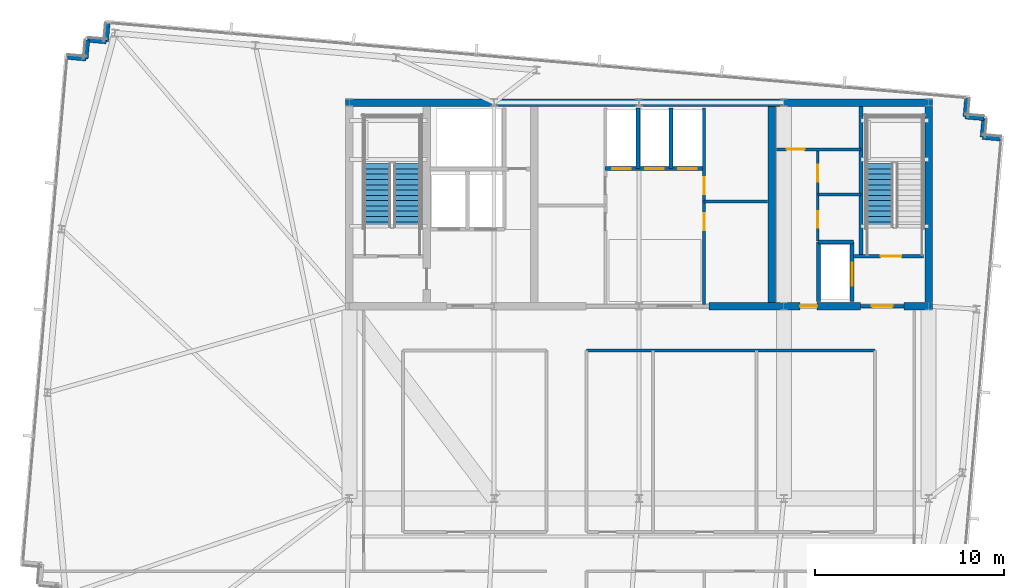
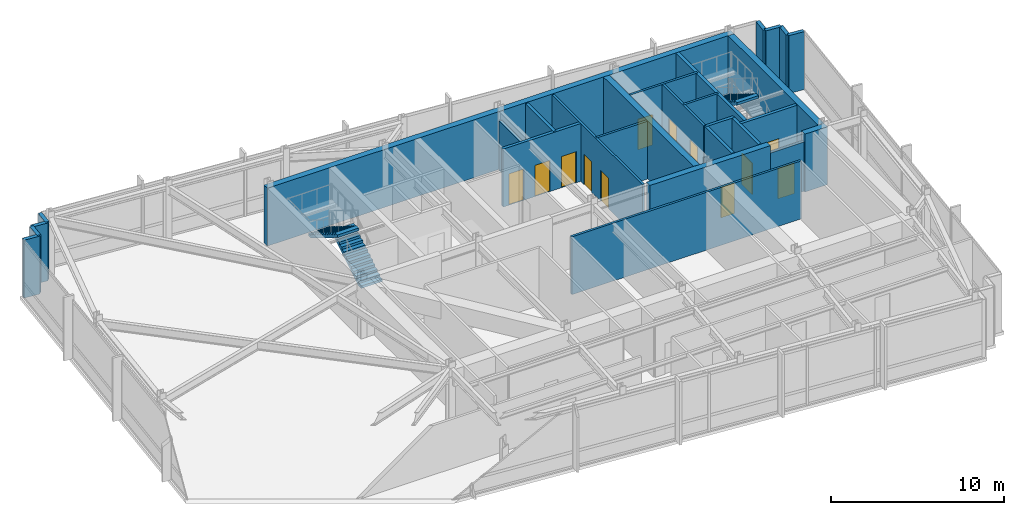
# One storey, part 20 of 25: 28 walls, 12 doors, 3 stair flights, 12 openings, 2 elements without a shape of their own.
"""IFC4 building model written with IfcOpenShell, lengths in metres."""

from ifc_helpers import new_model, si_unit, direction, frame, frame_2d, origin, place, context, subcontext, project, spatial, polyline, rectangle, outline, extrude, material, layer, layer_set, type_object, element, fill, aggregate, save


model = new_model("IFC4")

# Units and contexts
model_context = context("Model", 3, precision=1e-05, world=origin(), true_north=direction((0.0, 1.0)))
body_context = subcontext(model_context, "Body", "Model", "MODEL_VIEW")
ifc_project = project(units=[si_unit("LENGTHUNIT", "METRE"), si_unit("AREAUNIT", "SQUARE_METRE"), si_unit("VOLUMEUNIT", "CUBIC_METRE"), si_unit("PLANEANGLEUNIT", "RADIAN"), si_unit("MASSUNIT", "GRAM", prefix="KILO")], contexts=[model_context])

# Site, building, storey
site_placement = place(None, origin())
site = spatial("IfcSite", under=ifc_project, at=site_placement, CompositionType="ELEMENT")
building_placement = place(site_placement, origin())
building = spatial("IfcBuilding", under=site, at=building_placement, Name="Yelkora Congress Tower", CompositionType="ELEMENT")
storey_placement = place(building_placement, frame((0.0, 0.0, 299.89990234375)))
storey = spatial("IfcBuildingStorey", under=building, at=storey_placement, Name="L84", CompositionType="ELEMENT", Elevation=299.89990234375)

# Walls
ifc_material_1 = material(Name="Concrete C50/60", Category="concrete")
ifc_layer_1 = layer(ifc_material_1, 0.219970703125)
ifc_layer_set_1 = layer_set([ifc_layer_1], Name="Concrete C50/60")
wall_type_1 = type_object("IfcWallType", Name="WALL-CORE-INT-220", PredefinedType="SHEAR", material=ifc_layer_set_1)
wall_1_placement = place(storey_placement, frame((50.179931640625, 38.050048828125, 0.0), z_axis=(0.0, 0.0, 1.0), x_axis=(0.0, 1.0, 0.0)))
element("IfcWall", 1, at=wall_1_placement, inside=storey, type_object=wall_type_1, Name="L84 ST02 West Stair Shear Wall", PredefinedType="SHEAR", context=body_context, shape_type="SweptSolid", body=[
    extrude(rectangle(XDim=7.949951171875, YDim=0.219970703125, at=frame_2d((3.97509765625, 0.0))), origin(), (0.0, 0.0, 1.0), 4.080078125),
])
ifc_layer_2 = layer(ifc_material_1, 0.39990234375)
ifc_layer_set_2 = layer_set([ifc_layer_2], Name="Concrete C50/60")
wall_type_2 = type_object("IfcWallType", Name="WALL-CORE-INT-400", PredefinedType="SHEAR", material=ifc_layer_set_2)
wall_2_placement = place(storey_placement, frame((22.840087890625, 46.199951171875, 0.0), z_axis=(0.0, 0.0, 1.0), x_axis=(1.0, 0.0, 0.0)))
element("IfcWall", 2, at=wall_2_placement, inside=storey, type_object=wall_type_2, Name="L84 Rear Core North Shear Wall", PredefinedType="SHEAR", context=body_context, shape_type="SweptSolid", body=[
    extrude(rectangle(XDim=31.119873046875, YDim=0.39990234375, at=frame_2d((15.56005859375, 0.0))), origin(), (0.0, 0.0, 1.0), 4.080078125),
])

# Wall, opening, door
wall_3_placement = place(storey_placement, frame((42.10009765625, 35.39990234375, 0.0), z_axis=(0.0, 0.0, 1.0), x_axis=(1.0, 0.0, 0.0)))
wall_3 = element("IfcWall", 3, at=wall_3_placement, inside=storey, type_object=wall_type_2, Name="L84 Rear Core South-East Shear Wall A", PredefinedType="SHEAR", context=body_context, shape_type="SweptSolid", body=[
    extrude(rectangle(XDim=8.0498046875, YDim=0.39990234375, at=frame_2d((4.02490234375, 0.0))), origin(), (0.0, 0.0, 1.0), 4.080078125),
])
opening_1_placement = place(wall_3_placement, frame((4.85009765625, 0.0, 0.0)))
opening_1 = element("IfcOpeningElement", 4, at=opening_1_placement, cuts=wall_3, Name="Opening DR-090F6", PredefinedType="OPENING", context=body_context, shape_type="SweptSolid", body=[
    extrude(rectangle(XDim=0.89990234375, YDim=2.14990234375, at=frame_2d((0.449951171875, 1.074951171875))), frame((0.0, 0.2099609375, 0.0), z_axis=(0.0, -1.0, 0.0), x_axis=(1.0, 0.0, 0.0)), (0.0, 0.0, 1.0), 0.419921875),
])
ifc_material_2 = material(Name="Painted steel riser fire door leaf", Category="steel")
door_type_1 = type_object("IfcDoorType", Name="DOOR-FD60-900", OperationType="NOTDEFINED", PredefinedType="DOOR", material=ifc_material_2)
door_1_placement = place(opening_1_placement, origin())
door_1 = element("IfcDoor", 5, at=door_1_placement, inside=storey, type_object=door_type_1, Name="L84 Core Washroom Lobby Door", OperationType="SINGLE_SWING_RIGHT", OverallHeight=2.14990234375, OverallWidth=0.89990234375, PredefinedType="DOOR", context=body_context, shape_type="SweptSolid", body=[
    extrude(rectangle(XDim=0.89990234375, YDim=2.14990234375, at=frame_2d((0.449951171875, 1.074951171875))), frame((0.0, 0.02490234375, 0.0), z_axis=(0.0, -1.0, 0.0), x_axis=(1.0, 0.0, 0.0)), (0.0, 0.0, 1.0), 0.050048828125),
])
fill(opening_1, door_1)

# Walls
wall_4_placement = place(storey_placement, frame((52.449951171875, 35.39990234375, 0.0), z_axis=(0.0, 0.0, 1.0), x_axis=(1.0, 0.0, 0.0)))
element("IfcWall", 6, at=wall_4_placement, inside=storey, type_object=wall_type_2, Name="L84 Rear Core South-East Shear Wall B", PredefinedType="SHEAR", context=body_context, shape_type="SweptSolid", body=[
    extrude(rectangle(XDim=1.510009765625, YDim=0.39990234375, at=frame_2d((0.7548828125, 0.0))), origin(), (0.0, 0.0, 1.0), 4.080078125),
])
for number, where, z_axis, x_axis, name in (
    (7, (45.449951171875, 35.60009765625, 0.0), (0.0, 0.0, 1.0), (0.0, 1.0, 0.0), "L84 Rear Core Cross Shear Wall C3"),
    (8, (53.760009765625, 35.60009765625, 0.0), (0.0, 0.0, 1.0), (0.0, 1.0, 0.0), "L84 Rear Core Cross Shear Wall E"),
):
    element("IfcWall", number, at=place(storey_placement, frame(where, z_axis=z_axis, x_axis=x_axis)), inside=storey, type_object=wall_type_2, Name=name, PredefinedType="SHEAR", context=body_context, shape_type="SweptSolid", body=[
        extrude(rectangle(XDim=10.39990234375, YDim=0.39990234375, at=frame_2d((5.199951171875, 0.0))), origin(), (0.0, 0.0, 1.0), 4.080078125),
    ])
ifc_material_3 = material(Name="Concrete C40/50", Category="concrete")
ifc_layer_3 = layer(ifc_material_3, 0.239990234375)
ifc_layer_set_3 = layer_set([ifc_layer_3], Name="Concrete C40/50")
wall_type_3 = type_object("IfcWallType", Name="WALL-EXT-LIMESTONE-240", PredefinedType="SOLIDWALL", material=ifc_layer_set_3)
for number, where, z_axis, x_axis, name in (
    (9, (8.0732421875, 48.609619140625, 0.0), (0.0, 0.0, 1.0), (0.996195572005, -0.087145753297, 0.0), "L84 Serrated Corner Limestone Pier 6"),
    (10, (9.069580078125, 48.5224609375, 0.0), (0.0, 0.0, 1.0), (0.087145753297, 0.996195572005, 0.0), "L84 Serrated Corner Limestone Pier 7"),
):
    element("IfcWall", number, at=place(storey_placement, frame(where, z_axis=z_axis, x_axis=x_axis)), inside=storey, type_object=wall_type_3, Name=name, PredefinedType="SOLIDWALL", context=body_context, shape_type="SweptSolid", body=[
        extrude(rectangle(XDim=1.000244140625, YDim=0.239990234375, at=frame_2d((0.5, 0.0))), origin(), (0.0, 0.0, 1.0), 4.080078125),
    ])
for number, where, z_axis, x_axis, name in (
    (11, (9.15673828125, 49.518798828125, 0.0), (0.0, 0.0, 1.0), (0.996193717496, -0.087166950281, 0.0), "L84 Serrated Corner Limestone Pier 8"),
    (12, (10.15283203125, 49.431640625, 0.0), (0.0, 0.0, 1.0), (0.087166950281, 0.996193717496, 0.0), "L84 Serrated Corner Limestone Pier 9"),
    (13, (55.785888671875, 46.443115234375, 0.0), (0.0, 0.0, 1.0), (-0.086903493655, -0.996216734848, 0.0), "L84 Serrated Corner Limestone Pier 11"),
    (14, (55.698974609375, 45.44677734375, 0.0), (0.0, 0.0, 1.0), (0.996193717496, -0.087166950281, 0.0), "L84 Serrated Corner Limestone Pier 12"),
    (15, (56.695068359375, 45.359619140625, 0.0), (0.0, 0.0, 1.0), (-0.087166950281, -0.996193717496, 0.0), "L84 Serrated Corner Limestone Pier 13"),
    (16, (56.60791015625, 44.363525390625, 0.0), (0.0, 0.0, 1.0), (0.996193717496, -0.087166950281, 0.0), "L84 Serrated Corner Limestone Pier 14"),
):
    element("IfcWall", number, at=place(storey_placement, frame(where, z_axis=z_axis, x_axis=x_axis)), inside=storey, type_object=wall_type_3, Name=name, PredefinedType="SOLIDWALL", context=body_context, shape_type="SweptSolid", body=[
        extrude(rectangle(XDim=1.0, YDim=0.239990234375, at=frame_2d((0.5, 0.0))), origin(), (0.0, 0.0, 1.0), 4.080078125),
    ])

# Wall, opening, door
ifc_material_4 = material(Name="Acoustic metal-stud gypsum partition", Category="gypsum")
ifc_layer_4 = layer(ifc_material_4, 0.14990234375)
ifc_layer_set_4 = layer_set([ifc_layer_4], Name="Acoustic metal-stud gypsum partition")
wall_type_4 = type_object("IfcWallType", Name="WALL-INT-150-NR", PredefinedType="PARTITIONING", material=ifc_layer_set_4)
wall_5_placement = place(storey_placement, frame((45.679931640625, 43.719970703125, 0.0), z_axis=(0.0, 0.0, 1.0), x_axis=(1.0, 0.0, 0.0)))
wall_5 = element("IfcWall", 17, at=wall_5_placement, inside=storey, type_object=wall_type_4, Name="L84 Partition Wall 20", PredefinedType="PARTITIONING", context=body_context, shape_type="SweptSolid", body=[
    extrude(rectangle(XDim=4.5, YDim=0.14990234375, at=frame_2d((2.25, 0.0))), origin(), (0.0, 0.0, 1.0), 4.080078125),
])
opening_2_placement = place(wall_5_placement, frame((0.550048828125, 0.0, 0.0)))
opening_2 = element("IfcOpeningElement", 18, at=opening_2_placement, cuts=wall_5, Name="Opening DR-095N", PredefinedType="OPENING", context=body_context, shape_type="SweptSolid", body=[
    extrude(rectangle(XDim=0.949951171875, YDim=2.14990234375, at=frame_2d((0.47509765625, 1.074951171875))), frame((0.0, 0.0849609375, 0.0), z_axis=(0.0, -1.0, 0.0), x_axis=(1.0, 0.0, 0.0)), (0.0, 0.0, 1.0), 0.169921875),
])
ifc_material_5 = material(Name="Acoustic laminated timber office door", Category="wood")
door_type_2 = type_object("IfcDoorType", Name="DOOR-INT-950", OperationType="NOTDEFINED", PredefinedType="DOOR", material=ifc_material_5)
door_2_placement = place(opening_2_placement, origin())
door_2 = element("IfcDoor", 19, at=door_2_placement, inside=storey, type_object=door_type_2, Name="L84 Accessible WC Door", OperationType="SINGLE_SWING_LEFT", OverallHeight=2.14990234375, OverallWidth=0.949951171875, PredefinedType="DOOR", context=body_context, shape_type="SweptSolid", body=[
    extrude(rectangle(XDim=0.949951171875, YDim=2.14990234375, at=frame_2d((0.47509765625, 1.074951171875))), frame((0.0, 0.02490234375, 0.0), z_axis=(0.0, -1.0, 0.0), x_axis=(1.0, 0.0, 0.0)), (0.0, 0.0, 1.0), 0.050048828125),
])
fill(opening_2, door_2)

# Wall
wall_6_placement = place(storey_placement, frame((47.8798828125, 41.320068359375, 0.0), z_axis=(0.0, 0.0, 1.0), x_axis=(1.0, 0.0, 0.0)))
element("IfcWall", 20, at=wall_6_placement, inside=storey, type_object=wall_type_4, Name="L84 Partition Wall 21", PredefinedType="PARTITIONING", context=body_context, shape_type="SweptSolid", body=[
    extrude(rectangle(XDim=2.300048828125, YDim=0.14990234375, at=frame_2d((1.14990234375, 0.0))), origin(), (0.0, 0.0, 1.0), 4.080078125),
])

# Wall, openings, doors
wall_7_placement = place(storey_placement, frame((47.8798828125, 38.85009765625, 0.0), z_axis=(0.0, 0.0, 1.0), x_axis=(0.0, 1.0, 0.0)))
wall_7 = element("IfcWall", 21, at=wall_7_placement, inside=storey, type_object=wall_type_4, Name="L84 Partition Wall 22", PredefinedType="PARTITIONING", context=body_context, shape_type="SweptSolid", body=[
    extrude(rectangle(XDim=4.869873046875, YDim=0.14990234375, at=frame_2d((2.43505859375, 0.0))), origin(), (0.0, 0.0, 1.0), 4.080078125),
])
opening_3_placement = place(wall_7_placement, frame((0.699951171875, 0.0, 0.0)))
opening_3 = element("IfcOpeningElement", 22, at=opening_3_placement, cuts=wall_7, Name="Opening DR-090N", PredefinedType="OPENING", context=body_context, shape_type="SweptSolid", body=[
    extrude(rectangle(XDim=0.89990234375, YDim=2.14990234375, at=frame_2d((0.449951171875, 1.074951171875))), frame((0.0, 0.0849609375, 0.0), z_axis=(0.0, -1.0, 0.0), x_axis=(1.0, 0.0, 0.0)), (0.0, 0.0, 1.0), 0.169921875),
])
opening_4_placement = place(wall_7_placement, frame((3.14990234375, 0.0, 0.0)))
opening_4 = element("IfcOpeningElement", 23, at=opening_4_placement, cuts=wall_7, Name="Opening DR-090N", PredefinedType="OPENING", context=body_context, shape_type="SweptSolid", body=[
    extrude(rectangle(XDim=0.89990234375, YDim=2.14990234375, at=frame_2d((0.449951171875, 1.074951171875))), frame((0.0, 0.0849609375, 0.0), z_axis=(0.0, -1.0, 0.0), x_axis=(1.0, 0.0, 0.0)), (0.0, 0.0, 1.0), 0.169921875),
])
ifc_material_6 = material(Name="Moisture-resistant laminate door leaf", Category="wood")
door_type_3 = type_object("IfcDoorType", Name="DOOR-INT-900", OperationType="NOTDEFINED", PredefinedType="DOOR", material=ifc_material_6)
door_3_placement = place(opening_3_placement, origin())
door_3 = element("IfcDoor", 24, at=door_3_placement, inside=storey, type_object=door_type_3, Name="L84 Male WC Door", OperationType="SINGLE_SWING_RIGHT", OverallHeight=2.14990234375, OverallWidth=0.89990234375, PredefinedType="DOOR", context=body_context, shape_type="SweptSolid", body=[
    extrude(rectangle(XDim=0.89990234375, YDim=2.14990234375, at=frame_2d((0.449951171875, 1.074951171875))), frame((0.0, 0.02490234375, 0.0), z_axis=(0.0, -1.0, 0.0), x_axis=(1.0, 0.0, 0.0)), (0.0, 0.0, 1.0), 0.050048828125),
])
fill(opening_3, door_3)
door_4_placement = place(opening_4_placement, origin())
door_4 = element("IfcDoor", 25, at=door_4_placement, inside=storey, type_object=door_type_3, Name="L84 Female WC Door", OperationType="SINGLE_SWING_LEFT", OverallHeight=2.14990234375, OverallWidth=0.89990234375, PredefinedType="DOOR", context=body_context, shape_type="SweptSolid", body=[
    extrude(rectangle(XDim=0.89990234375, YDim=2.14990234375, at=frame_2d((0.449951171875, 1.074951171875))), frame((0.0, 0.02490234375, 0.0), z_axis=(0.0, -1.0, 0.0), x_axis=(1.0, 0.0, 0.0)), (0.0, 0.0, 1.0), 0.050048828125),
])
fill(opening_4, door_4)

# Walls
wall_8_placement = place(storey_placement, frame((35.6201171875, 33.050048828125, 0.0), z_axis=(0.0, 0.0, 1.0), x_axis=(1.0, 0.0, 0.0)))
element("IfcWall", 26, at=wall_8_placement, inside=storey, type_object=wall_type_4, Name="L84 Partition Wall 35", PredefinedType="PARTITIONING", context=body_context, shape_type="SweptSolid", body=[
    extrude(rectangle(XDim=15.2998046875, YDim=0.14990234375, at=frame_2d((7.64990234375, 0.0))), origin(), (0.0, 0.0, 1.0), 4.080078125),
])
ifc_material_7 = material(Name="Twin-stud fire-rated gypsum partition", Category="gypsum")
ifc_layer_5 = layer(ifc_material_7, 0.14990234375)
ifc_layer_set_5 = layer_set([ifc_layer_5], Name="Twin-stud fire-rated gypsum partition")
wall_type_5 = type_object("IfcWallType", Name="WALL-INT-150-R60", PredefinedType="PARTITIONING", material=ifc_layer_set_5)
wall_9_placement = place(storey_placement, frame((41.85009765625, 40.949951171875, 0.0), z_axis=(0.0, 0.0, 1.0), x_axis=(1.0, 0.0, 0.0)))
element("IfcWall", 27, at=wall_9_placement, inside=storey, type_object=wall_type_5, Name="L84 Partition Wall 13", PredefinedType="PARTITIONING", context=body_context, shape_type="SweptSolid", body=[
    extrude(rectangle(XDim=3.369873046875, YDim=0.14990234375, at=frame_2d((1.68505859375, 0.0))), origin(), (0.0, 0.0, 1.0), 4.080078125),
])

# Wall, openings, doors
wall_10_placement = place(storey_placement, frame((41.85009765625, 35.5, 0.0), z_axis=(0.0, 0.0, 1.0), x_axis=(0.0, 1.0, 0.0)))
wall_10 = element("IfcWall", 28, at=wall_10_placement, inside=storey, type_object=wall_type_5, Name="L84 Partition Wall 14", PredefinedType="PARTITIONING", context=body_context, shape_type="SweptSolid", body=[
    extrude(rectangle(XDim=10.419921875, YDim=0.14990234375, at=frame_2d((5.2099609375, 0.0))), origin(), (0.0, 0.0, 1.0), 4.080078125),
])
opening_5_placement = place(wall_10_placement, frame((3.919921875, 0.0, 0.0)))
opening_5 = element("IfcOpeningElement", 29, at=opening_5_placement, cuts=wall_10, Name="Opening DR-090F6", PredefinedType="OPENING", context=body_context, shape_type="SweptSolid", body=[
    extrude(rectangle(XDim=0.89990234375, YDim=2.14990234375, at=frame_2d((0.449951171875, 1.074951171875))), frame((0.0, 0.0849609375, 0.0), z_axis=(0.0, -1.0, 0.0), x_axis=(1.0, 0.0, 0.0)), (0.0, 0.0, 1.0), 0.169921875),
])
opening_6_placement = place(wall_10_placement, frame((5.85009765625, 0.0, 0.0)))
opening_6 = element("IfcOpeningElement", 30, at=opening_6_placement, cuts=wall_10, Name="Opening DR-090F6", PredefinedType="OPENING", context=body_context, shape_type="SweptSolid", body=[
    extrude(rectangle(XDim=0.89990234375, YDim=2.14990234375, at=frame_2d((0.449951171875, 1.074951171875))), frame((0.0, 0.0849609375, 0.0), z_axis=(0.0, -1.0, 0.0), x_axis=(1.0, 0.0, 0.0)), (0.0, 0.0, 1.0), 0.169921875),
])
door_5_placement = place(opening_5_placement, origin())
door_5 = element("IfcDoor", 31, at=door_5_placement, inside=storey, type_object=door_type_1, Name="L84 High-Zone BMS Door", OperationType="SINGLE_SWING_RIGHT", OverallHeight=2.14990234375, OverallWidth=0.89990234375, PredefinedType="DOOR", context=body_context, shape_type="SweptSolid", body=[
    extrude(rectangle(XDim=0.89990234375, YDim=2.14990234375, at=frame_2d((0.449951171875, 1.074951171875))), frame((0.0, 0.02490234375, 0.0), z_axis=(0.0, -1.0, 0.0), x_axis=(1.0, 0.0, 0.0)), (0.0, 0.0, 1.0), 0.050048828125),
])
fill(opening_5, door_5)
door_6_placement = place(opening_6_placement, origin())
door_6 = element("IfcDoor", 32, at=door_6_placement, inside=storey, type_object=door_type_1, Name="L84 Linen Store Door", OperationType="SINGLE_SWING_LEFT", OverallHeight=2.14990234375, OverallWidth=0.89990234375, PredefinedType="DOOR", context=body_context, shape_type="SweptSolid", body=[
    extrude(rectangle(XDim=0.89990234375, YDim=2.14990234375, at=frame_2d((0.449951171875, 1.074951171875))), frame((0.0, 0.02490234375, 0.0), z_axis=(0.0, -1.0, 0.0), x_axis=(1.0, 0.0, 0.0)), (0.0, 0.0, 1.0), 0.050048828125),
])
fill(opening_6, door_6)

ifc_material_8 = material(Name="Autoclaved aerated concrete blockwork", Category="masonry")
ifc_layer_6 = layer(ifc_material_8, 0.199951171875)
ifc_layer_set_6 = layer_set([ifc_layer_6], Name="Autoclaved aerated concrete blockwork")
wall_type_6 = type_object("IfcWallType", Name="WALL-INT-200-R120", PredefinedType="PARTITIONING", material=ifc_layer_set_6)
wall_11_placement = place(storey_placement, frame((36.60009765625, 42.699951171875, 0.0), z_axis=(0.0, 0.0, 1.0), x_axis=(1.0, 0.0, 0.0)))
wall_11 = element("IfcWall", 33, at=wall_11_placement, inside=storey, type_object=wall_type_6, Name="L84 Partition Wall 8", PredefinedType="PARTITIONING", context=body_context, shape_type="SweptSolid", body=[
    extrude(rectangle(XDim=5.25, YDim=0.199951171875, at=frame_2d((2.625, 0.0))), origin(), (0.0, 0.0, 1.0), 4.080078125),
])
opening_7_placement = place(wall_11_placement, frame((0.375, 0.0, 0.0)))
opening_7 = element("IfcOpeningElement", 34, at=opening_7_placement, cuts=wall_11, Name="Opening LD-PS10", PredefinedType="OPENING", context=body_context, shape_type="SweptSolid", body=[
    extrude(rectangle(XDim=1.0, YDim=2.199951171875, at=frame_2d((0.5, 1.10009765625))), frame((0.0, 0.10986328125, 0.0), z_axis=(0.0, -1.0, 0.0), x_axis=(1.0, 0.0, 0.0)), (0.0, 0.0, 1.0), 0.219970703125),
])
opening_8_placement = place(wall_11_placement, frame((2.125, 0.0, 0.0)))
opening_8 = element("IfcOpeningElement", 35, at=opening_8_placement, cuts=wall_11, Name="Opening LD-PS10", PredefinedType="OPENING", context=body_context, shape_type="SweptSolid", body=[
    extrude(rectangle(XDim=1.0, YDim=2.199951171875, at=frame_2d((0.5, 1.10009765625))), frame((0.0, 0.10986328125, 0.0), z_axis=(0.0, -1.0, 0.0), x_axis=(1.0, 0.0, 0.0)), (0.0, 0.0, 1.0), 0.219970703125),
])
opening_9_placement = place(wall_11_placement, frame((3.875, 0.0, 0.0)))
opening_9 = element("IfcOpeningElement", 36, at=opening_9_placement, cuts=wall_11, Name="Opening LD-PS10", PredefinedType="OPENING", context=body_context, shape_type="SweptSolid", body=[
    extrude(rectangle(XDim=1.0, YDim=2.199951171875, at=frame_2d((0.5, 1.10009765625))), frame((0.0, 0.10986328125, 0.0), z_axis=(0.0, -1.0, 0.0), x_axis=(1.0, 0.0, 0.0)), (0.0, 0.0, 1.0), 0.219970703125),
])
ifc_material_9 = material(Name="Champagne stainless steel landing door", Category="steel")
door_type_4 = type_object("IfcDoorType", Name="DOOR-LIFT-PAS-1000", OperationType="DOUBLE_DOOR_SLIDING", PredefinedType="DOOR", material=ifc_material_9)
door_7_placement = place(opening_7_placement, origin())
door_7 = element("IfcDoor", 37, at=door_7_placement, inside=storey, type_object=door_type_4, Name="Lift Landing Door LF-P9 L84", OperationType="DOUBLE_DOOR_SLIDING", OverallHeight=2.199951171875, OverallWidth=1.0, PredefinedType="DOOR", context=body_context, shape_type="SweptSolid", body=[
    extrude(rectangle(XDim=1.0, YDim=2.199951171875, at=frame_2d((0.5, 1.10009765625))), frame((0.0, 0.02490234375, 0.0), z_axis=(0.0, -1.0, 0.0), x_axis=(1.0, 0.0, 0.0)), (0.0, 0.0, 1.0), 0.050048828125),
])
fill(opening_7, door_7)
door_8_placement = place(opening_8_placement, origin())
door_8 = element("IfcDoor", 38, at=door_8_placement, inside=storey, type_object=door_type_4, Name="Lift Landing Door LF-P10 L84", OperationType="DOUBLE_DOOR_SLIDING", OverallHeight=2.199951171875, OverallWidth=1.0, PredefinedType="DOOR", context=body_context, shape_type="SweptSolid", body=[
    extrude(rectangle(XDim=1.0, YDim=2.199951171875, at=frame_2d((0.5, 1.10009765625))), frame((0.0, 0.02490234375, 0.0), z_axis=(0.0, -1.0, 0.0), x_axis=(1.0, 0.0, 0.0)), (0.0, 0.0, 1.0), 0.050048828125),
])
fill(opening_8, door_8)
door_9_placement = place(opening_9_placement, origin())
door_9 = element("IfcDoor", 39, at=door_9_placement, inside=storey, type_object=door_type_4, Name="Lift Landing Door LF-P11 L84", OperationType="DOUBLE_DOOR_SLIDING", OverallHeight=2.199951171875, OverallWidth=1.0, PredefinedType="DOOR", context=body_context, shape_type="SweptSolid", body=[
    extrude(rectangle(XDim=1.0, YDim=2.199951171875, at=frame_2d((0.5, 1.10009765625))), frame((0.0, 0.02490234375, 0.0), z_axis=(0.0, -1.0, 0.0), x_axis=(1.0, 0.0, 0.0)), (0.0, 0.0, 1.0), 0.050048828125),
])
fill(opening_9, door_9)

# Walls
wall_12_placement = place(storey_placement, frame((38.35009765625, 42.699951171875, 0.0), z_axis=(0.0, 0.0, 1.0), x_axis=(0.0, 1.0, 0.0)))
element("IfcWall", 40, at=wall_12_placement, inside=storey, type_object=wall_type_6, Name="L84 Partition Wall 9", PredefinedType="PARTITIONING", context=body_context, shape_type="SweptSolid", body=[
    extrude(rectangle(XDim=3.219970703125, YDim=0.199951171875, at=frame_2d((1.60986328125, 0.0))), origin(), (0.0, 0.0, 1.0), 3.47509765625),
])
wall_13_placement = place(storey_placement, frame((40.10009765625, 42.699951171875, 0.0), z_axis=(0.0, 0.0, 1.0), x_axis=(0.0, 1.0, 0.0)))
element("IfcWall", 41, at=wall_13_placement, inside=storey, type_object=wall_type_6, Name="L84 Partition Wall 10", PredefinedType="PARTITIONING", context=body_context, shape_type="SweptSolid", body=[
    extrude(rectangle(XDim=3.219970703125, YDim=0.199951171875, at=frame_2d((1.60986328125, 0.0))), origin(), (0.0, 0.0, 1.0), 4.080078125),
])

# Wall, opening, door
wall_14_placement = place(storey_placement, frame((49.780029296875, 38.050048828125, 0.0), z_axis=(0.0, 0.0, 1.0), x_axis=(1.0, 0.0, 0.0)))
wall_14 = element("IfcWall", 42, at=wall_14_placement, inside=storey, type_object=wall_type_6, Name="L84 Stair ST-02 Enclosure Wall", PredefinedType="PARTITIONING", context=body_context, shape_type="SweptSolid", body=[
    extrude(rectangle(XDim=3.719970703125, YDim=0.199951171875, at=frame_2d((1.85986328125, 0.0))), origin(), (0.0, 0.0, 1.0), 4.080078125),
])
opening_10_placement = place(wall_14_placement, frame((1.436279296875, 0.0, 0.0)))
opening_10 = element("IfcOpeningElement", 43, at=opening_10_placement, cuts=wall_14, Name="Opening DR-110F9", PredefinedType="OPENING", context=body_context, shape_type="SweptSolid", body=[
    extrude(rectangle(XDim=1.10009765625, YDim=2.14990234375, at=frame_2d((0.550048828125, 1.074951171875))), frame((0.0, 0.10986328125, 0.0), z_axis=(0.0, -1.0, 0.0), x_axis=(1.0, 0.0, 0.0)), (0.0, 0.0, 1.0), 0.219970703125),
])
ifc_material_10 = material(Name="Galvanised steel fire door leaf", Category="steel")
door_type_5 = type_object("IfcDoorType", Name="DOOR-FD90-1100", OperationType="NOTDEFINED", PredefinedType="DOOR", material=ifc_material_10)
door_10_placement = place(opening_10_placement, origin())
door_10 = element("IfcDoor", 44, at=door_10_placement, inside=storey, type_object=door_type_5, Name="L84 Stair ST-02 Entry Door", OperationType="SINGLE_SWING_RIGHT", OverallHeight=2.14990234375, OverallWidth=1.10009765625, PredefinedType="DOOR", context=body_context, shape_type="SweptSolid", body=[
    extrude(rectangle(XDim=1.10009765625, YDim=2.14990234375, at=frame_2d((0.550048828125, 1.074951171875))), frame((0.0, 0.02490234375, 0.0), z_axis=(0.0, -1.0, 0.0), x_axis=(1.0, 0.0, 0.0)), (0.0, 0.0, 1.0), 0.050048828125),
])
fill(opening_10, door_10)

wall_15_placement = place(storey_placement, frame((50.14990234375, 35.39990234375, 0.0), z_axis=(0.0, 0.0, 1.0), x_axis=(1.0, 0.0, 0.0)))
wall_15 = element("IfcWall", 45, at=wall_15_placement, inside=storey, type_object=wall_type_6, Name="L84 Partition Wall 16", PredefinedType="PARTITIONING", context=body_context, shape_type="SweptSolid", body=[
    extrude(rectangle(XDim=2.300048828125, YDim=0.199951171875, at=frame_2d((1.14990234375, 0.0))), origin(), (0.0, 0.0, 1.0), 3.47509765625),
])
opening_11_placement = place(wall_15_placement, frame((0.60009765625, 0.0, 0.0)))
opening_11 = element("IfcOpeningElement", 46, at=opening_11_placement, cuts=wall_15, Name="Opening DR-110F9", PredefinedType="OPENING", context=body_context, shape_type="SweptSolid", body=[
    extrude(rectangle(XDim=1.10009765625, YDim=2.14990234375, at=frame_2d((0.550048828125, 1.074951171875))), frame((0.0, 0.10986328125, 0.0), z_axis=(0.0, -1.0, 0.0), x_axis=(1.0, 0.0, 0.0)), (0.0, 0.0, 1.0), 0.219970703125),
])
door_11_placement = place(opening_11_placement, origin())
door_11 = element("IfcDoor", 47, at=door_11_placement, inside=storey, type_object=door_type_5, Name="L84 East Stair Lobby Door", OperationType="SINGLE_SWING_LEFT", OverallHeight=2.14990234375, OverallWidth=1.10009765625, PredefinedType="DOOR", context=body_context, shape_type="SweptSolid", body=[
    extrude(rectangle(XDim=1.10009765625, YDim=2.14990234375, at=frame_2d((0.550048828125, 1.074951171875))), frame((0.0, 0.02490234375, 0.0), z_axis=(0.0, -1.0, 0.0), x_axis=(1.0, 0.0, 0.0)), (0.0, 0.0, 1.0), 0.050048828125),
])
fill(opening_11, door_11)

wall_16_placement = place(storey_placement, frame((49.699951171875, 35.64990234375, 0.0), z_axis=(0.0, 0.0, 1.0), x_axis=(0.0, 1.0, 0.0)))
wall_16 = element("IfcWall", 48, at=wall_16_placement, inside=storey, type_object=wall_type_6, Name="L84 Partition Wall 17", PredefinedType="PARTITIONING", context=body_context, shape_type="SweptSolid", body=[
    extrude(rectangle(XDim=3.150146484375, YDim=0.199951171875, at=frame_2d((1.5751953125, 0.0))), origin(), (0.0, 0.0, 1.0), 4.080078125),
])
opening_12_placement = place(wall_16_placement, frame((0.85009765625, 0.0, 0.0)))
opening_12 = element("IfcOpeningElement", 49, at=opening_12_placement, cuts=wall_16, Name="Opening LD-SV12", PredefinedType="OPENING", context=body_context, shape_type="SweptSolid", body=[
    extrude(rectangle(XDim=1.199951171875, YDim=2.199951171875, at=frame_2d((0.60009765625, 1.10009765625))), frame((0.0, 0.10986328125, 0.0), z_axis=(0.0, -1.0, 0.0), x_axis=(1.0, 0.0, 0.0)), (0.0, 0.0, 1.0), 0.219970703125),
])
ifc_material_11 = material(Name="Heavy-duty stainless steel landing door", Category="steel")
door_type_6 = type_object("IfcDoorType", Name="DOOR-LIFT-SRV-1200", OperationType="DOUBLE_DOOR_SLIDING", PredefinedType="DOOR", material=ifc_material_11)
door_12_placement = place(opening_12_placement, origin())
door_12 = element("IfcDoor", 50, at=door_12_placement, inside=storey, type_object=door_type_6, Name="Service Lift Landing Door LF-SV1 L84", OperationType="DOUBLE_DOOR_SLIDING", OverallHeight=2.199951171875, OverallWidth=1.199951171875, PredefinedType="DOOR", context=body_context, shape_type="SweptSolid", body=[
    extrude(rectangle(XDim=1.199951171875, YDim=2.199951171875, at=frame_2d((0.60009765625, 1.10009765625))), frame((0.0, 0.02490234375, 0.0), z_axis=(0.0, -1.0, 0.0), x_axis=(1.0, 0.0, 0.0)), (0.0, 0.0, 1.0), 0.050048828125),
])
fill(opening_12, door_12)

# Walls
wall_17_placement = place(storey_placement, frame((47.919921875, 35.64990234375, 0.0), z_axis=(0.0, 0.0, 1.0), x_axis=(0.0, 1.0, 0.0)))
element("IfcWall", 51, at=wall_17_placement, inside=storey, type_object=wall_type_6, Name="L84 Partition Wall 18", PredefinedType="PARTITIONING", context=body_context, shape_type="SweptSolid", body=[
    extrude(rectangle(XDim=3.150146484375, YDim=0.199951171875, at=frame_2d((1.5751953125, 0.0))), origin(), (0.0, 0.0, 1.0), 4.080078125),
])
wall_18_placement = place(storey_placement, frame((47.919921875, 38.800048828125, 0.0), z_axis=(0.0, 0.0, 1.0), x_axis=(1.0, 0.0, 0.0)))
element("IfcWall", 52, at=wall_18_placement, inside=storey, type_object=wall_type_6, Name="L84 Partition Wall 19", PredefinedType="PARTITIONING", context=body_context, shape_type="SweptSolid", body=[
    extrude(rectangle(XDim=1.860107421875, YDim=0.199951171875, at=frame_2d((0.93017578125, 0.0))), origin(), (0.0, 0.0, 1.0), 4.080078125),
])

# Stair, stair flights
stair_type = type_object("IfcStairType", Name="STAIR-HT-1420-R26-173", PredefinedType="HALF_TURN_STAIR", material=ifc_material_3)
stair_1_placement = place(storey_placement, origin())
stair_1 = element("IfcStair", 53, at=stair_1_placement, inside=storey, type_object=stair_type, Name="West Core Protected Exit Stair ST-01 (L84)", PredefinedType="HALF_TURN_STAIR")
stair_flight_type = type_object("IfcStairFlightType", Name="FLIGHT-1420-N13-R173-G280", PredefinedType="STRAIGHT", material=ifc_material_3)
stair_flight_1_placement = place(storey_placement, frame((26.110107421875, 39.60009765625, 0.0), z_axis=(0.0, 0.0, 1.0), x_axis=(0.0, 1.0, 0.0)))
stair_flight_1 = element("IfcStairFlight", 54, at=stair_flight_1_placement, type_object=stair_flight_type, Name="ST-01 L84 Flight 1", NumberOfRisers=13, NumberOfTreads=12, PredefinedType="STRAIGHT", RiserHeight=0.173076923, TreadLength=0.28, context=body_context, shape_type="SweptSolid", body=[
    extrude(outline(polyline([(0.0, 0.0), (0.0, 0.173095703125), (0.280029296875, 0.173095703125), (0.280029296875, 0.34619140625), (0.56005859375, 0.34619140625), (0.56005859375, 0.519287109375), (0.840087890625, 0.519287109375), (0.840087890625, 0.6923828125), (1.1201171875, 0.6923828125), (1.1201171875, 0.865478515625), (1.39990234375, 0.865478515625), (1.39990234375, 1.03857421875), (1.679931640625, 1.03857421875), (1.679931640625, 1.21142578125), (1.9599609375, 1.21142578125), (1.9599609375, 1.384521484375), (2.239990234375, 1.384521484375), (2.239990234375, 1.5576171875), (2.52001953125, 1.5576171875), (2.52001953125, 1.730712890625), (2.800048828125, 1.730712890625), (2.800048828125, 1.90380859375), (3.080078125, 1.90380859375), (3.080078125, 2.076904296875), (3.360107421875, 2.076904296875), (3.360107421875, 2.25), (3.360107421875, 1.888916015625), (0.30419921875, 0.0), (0.0, 0.0)])), frame((0.0, 0.7099609375, 0.0), z_axis=(0.0, -1.0, 0.0), x_axis=(1.0, 0.0, 0.0)), (0.0, 0.0, 1.0), 1.419921875),
])
stair_flight_2_placement = place(storey_placement, frame((24.530029296875, 42.9599609375, 2.25), z_axis=(0.0, 0.0, 1.0), x_axis=(0.0, -1.0, 0.0)))
stair_flight_2 = element("IfcStairFlight", 55, at=stair_flight_2_placement, type_object=stair_flight_type, Name="ST-01 L84 Flight 2", NumberOfRisers=13, NumberOfTreads=12, PredefinedType="STRAIGHT", RiserHeight=0.173076923, TreadLength=0.28, context=body_context, shape_type="SweptSolid", body=[
    extrude(outline(polyline([(0.0, 0.0), (0.0, 0.173095703125), (0.280029296875, 0.173095703125), (0.280029296875, 0.34619140625), (0.56005859375, 0.34619140625), (0.56005859375, 0.519287109375), (0.840087890625, 0.519287109375), (0.840087890625, 0.6923828125), (1.1201171875, 0.6923828125), (1.1201171875, 0.865478515625), (1.39990234375, 0.865478515625), (1.39990234375, 1.03857421875), (1.679931640625, 1.03857421875), (1.679931640625, 1.21142578125), (1.9599609375, 1.21142578125), (1.9599609375, 1.384521484375), (2.239990234375, 1.384521484375), (2.239990234375, 1.5576171875), (2.52001953125, 1.5576171875), (2.52001953125, 1.730712890625), (2.800048828125, 1.730712890625), (2.800048828125, 1.90380859375), (3.080078125, 1.90380859375), (3.080078125, 2.076904296875), (3.360107421875, 2.076904296875), (3.360107421875, 2.25), (3.360107421875, 1.888916015625), (0.30419921875, 0.0), (0.0, 0.0)])), frame((0.0, 0.7099609375, 0.0), z_axis=(0.0, -1.0, 0.0), x_axis=(1.0, 0.0, 0.0)), (0.0, 0.0, 1.0), 1.419921875),
])
aggregate(stair_1, [stair_flight_1, stair_flight_2])

# Stair, stair flight
stair_2_placement = place(storey_placement, origin())
stair_2 = element("IfcStair", 56, at=stair_2_placement, inside=storey, type_object=stair_type, Name="East Core Protected Exit Stair ST-02 (L84)", PredefinedType="HALF_TURN_STAIR")
stair_flight_3_placement = place(storey_placement, frame((51.169921875, 42.9599609375, 2.25), z_axis=(0.0, 0.0, 1.0), x_axis=(0.0, -1.0, 0.0)))
stair_flight_3 = element("IfcStairFlight", 57, at=stair_flight_3_placement, type_object=stair_flight_type, Name="ST-02 L84 Flight 2", NumberOfRisers=13, NumberOfTreads=12, PredefinedType="STRAIGHT", RiserHeight=0.173076923, TreadLength=0.28, context=body_context, shape_type="SweptSolid", body=[
    extrude(outline(polyline([(0.0, 0.0), (0.0, 0.173095703125), (0.280029296875, 0.173095703125), (0.280029296875, 0.34619140625), (0.56005859375, 0.34619140625), (0.56005859375, 0.519287109375), (0.840087890625, 0.519287109375), (0.840087890625, 0.6923828125), (1.1201171875, 0.6923828125), (1.1201171875, 0.865478515625), (1.39990234375, 0.865478515625), (1.39990234375, 1.03857421875), (1.679931640625, 1.03857421875), (1.679931640625, 1.21142578125), (1.9599609375, 1.21142578125), (1.9599609375, 1.384521484375), (2.239990234375, 1.384521484375), (2.239990234375, 1.5576171875), (2.52001953125, 1.5576171875), (2.52001953125, 1.730712890625), (2.800048828125, 1.730712890625), (2.800048828125, 1.90380859375), (3.080078125, 1.90380859375), (3.080078125, 2.076904296875), (3.360107421875, 2.076904296875), (3.360107421875, 2.25), (3.360107421875, 1.888916015625), (0.30419921875, 0.0), (0.0, 0.0)])), frame((0.0, 0.7099609375, 0.0), z_axis=(0.0, -1.0, 0.0), x_axis=(1.0, 0.0, 0.0)), (0.0, 0.0, 1.0), 1.419921875),
])
aggregate(stair_2, [stair_flight_3])

save(model, "model.ifc")
